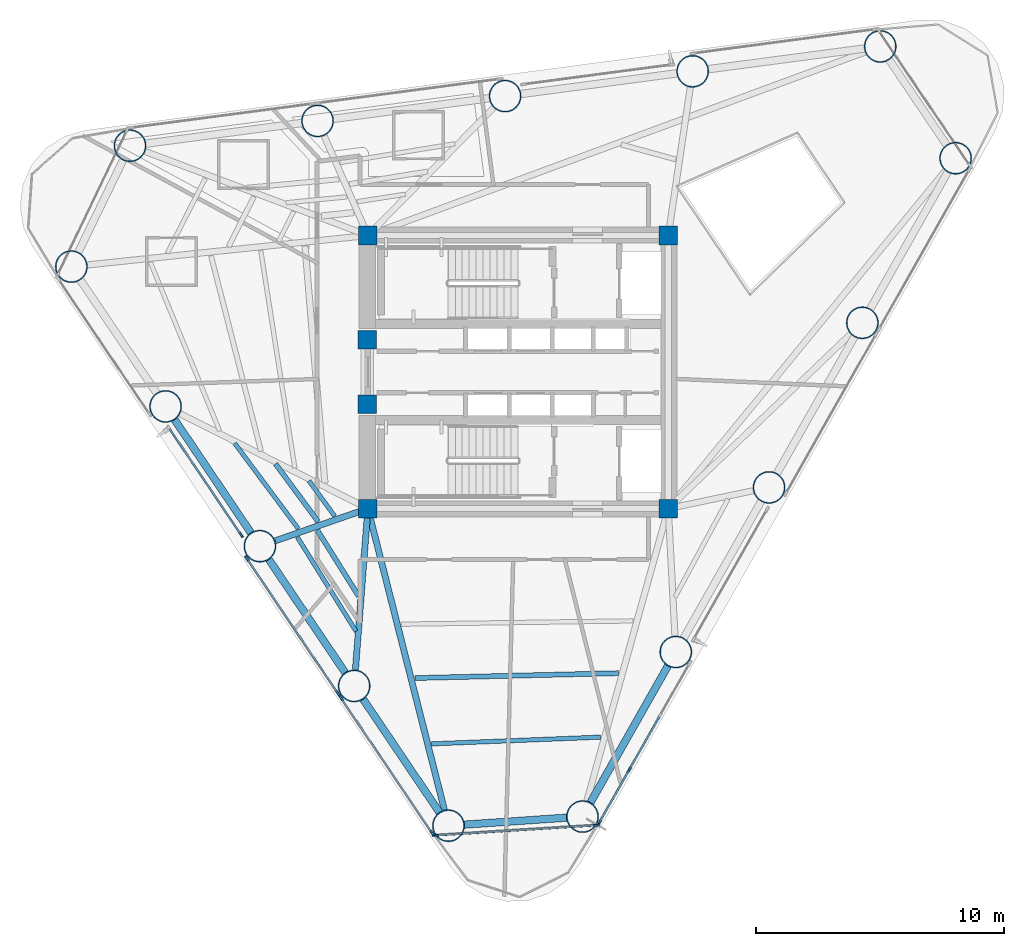
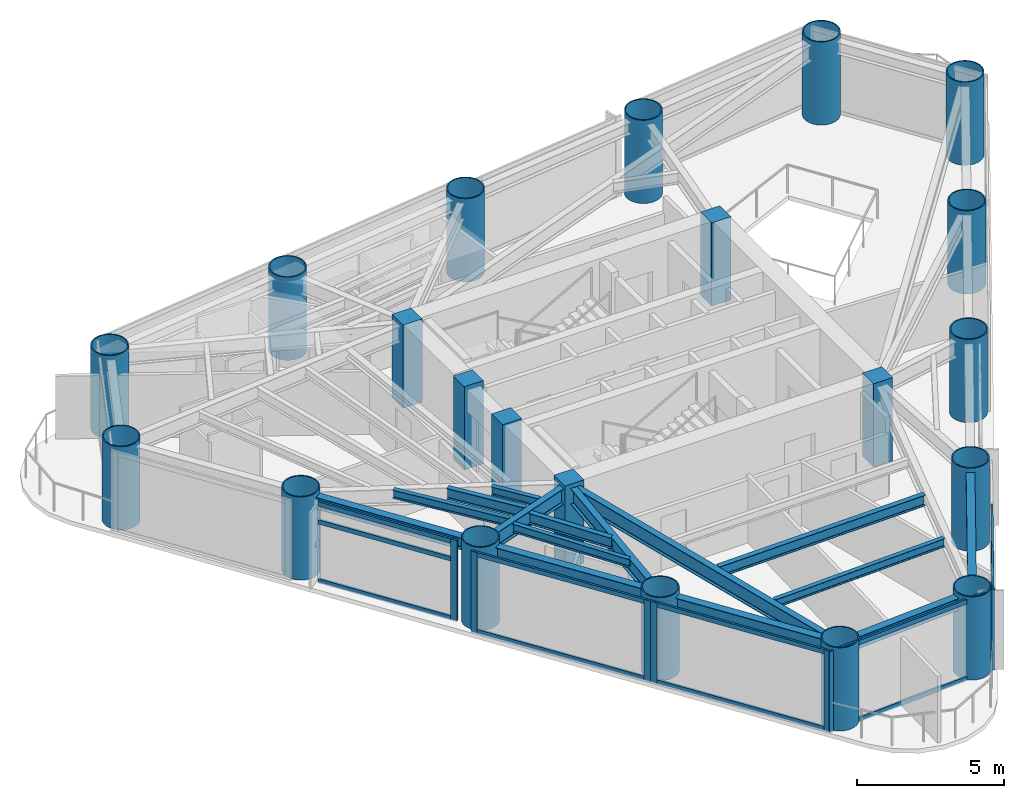
# One storey, part 1 of 9: 24 members, 21 columns, 15 beams, 5 elements without a shape of their own.
"""IFC4 building model written with IfcOpenShell, lengths in metres."""

from ifc_helpers import new_model, si_unit, direction, frame, origin, origin_2d, place, context, subcontext, project, spatial, rectangle, hollow_circle, i_section, extrude, source, transform, mapped, material, layer, layer_set, material_profile, profile_set, type_object, element, aggregate, save


model = new_model("IFC4")

# Units and contexts
model_context = context("Model", 3, precision=1e-05, world=origin(), true_north=direction((0.0, 1.0)))
body_context = subcontext(model_context, "Body", "Model", "MODEL_VIEW")
ifc_project = project(units=[si_unit("LENGTHUNIT", "METRE"), si_unit("AREAUNIT", "SQUARE_METRE"), si_unit("VOLUMEUNIT", "CUBIC_METRE"), si_unit("PLANEANGLEUNIT", "RADIAN"), si_unit("MASSUNIT", "GRAM", prefix="KILO")], contexts=[model_context])

# Site, building, storey
site_placement = place(None, origin())
site = spatial("IfcSite", under=ifc_project, at=site_placement, CompositionType="ELEMENT")
building_placement = place(site_placement, origin())
building = spatial("IfcBuilding", under=site, at=building_placement, Name="Yunling Apex Tower", CompositionType="ELEMENT")
storey_placement = place(building_placement, frame((0.0, 0.0, 169.10009765625)))
storey = spatial("IfcBuildingStorey", under=building, at=storey_placement, Name="L41", CompositionType="ELEMENT", Elevation=169.10009765625)

# Columns
ifc_material_1 = material(Name="Concrete C50", Category="concrete")
ifc_material_profile_1 = material_profile(ifc_material_1, rectangle(XDim=0.75, YDim=0.75, at=origin_2d()))
ifc_profile_set_1 = profile_set([ifc_material_profile_1], Name="Concrete C50")
column_type_1 = type_object("IfcColumnType", Name="PC-SRC-4", PredefinedType="COLUMN", material=ifc_profile_set_1)
shared_shape_1 = source(origin(), body_context, "Body", "SweptSolid", [
    extrude(rectangle(XDim=0.75, YDim=0.75, at=origin_2d()), origin(), (0.0, 0.0, 1.0), 3.449951171875),
])
for number, where, z_axis, x_axis, name in (
    (1, (-6.050048828125, -5.5, 0.0), (0.0, 0.0, 1.0), (1.0, 0.0, 0.0), "L41 Core Spine Column CC-SW"),
    (2, (6.050048828125, -5.5, 0.0), (0.0, 0.0, 1.0), (1.0, 0.0, 0.0), "L41 Core Spine Column CC-SE"),
    (3, (6.050048828125, 5.5, 0.0), (0.0, 0.0, 1.0), (1.0, 0.0, 0.0), "L41 Core Spine Column CC-NE"),
    (4, (-6.050048828125, 5.5, 0.0), (0.0, 0.0, 1.0), (1.0, 0.0, 0.0), "L41 Core Spine Column CC-NW"),
    (5, (-6.074951171875, -1.300048828125, 0.0), (0.0, 0.0, 1.0), (1.0, 0.0, 0.0), "L41 Core West Portal Jamb Column S"),
    (6, (-6.074951171875, 1.300048828125, 0.0), (0.0, 0.0, 1.0), (1.0, 0.0, 0.0), "L41 Core West Portal Jamb Column N"),
):
    element("IfcColumn", number, at=place(storey_placement, frame(where, z_axis=z_axis, x_axis=x_axis)), inside=storey, type_object=column_type_1, Name=name, PredefinedType="COLUMN", context=body_context, shape_type="MappedRepresentation", body=[
        mapped(shared_shape_1, transform((0.0, 0.0, 0.0), scale=1.0)),
    ])
ifc_material_2 = material(Name="Steel Q390GJC", Category="steel")
ifc_material_profile_2 = material_profile(ifc_material_2, hollow_circle(Radius=0.64990234375, WallThickness=0.044921875, at=origin_2d()))
ifc_profile_set_2 = profile_set([ifc_material_profile_2], Name="Steel Q390GJC")
column_type_2 = type_object("IfcColumnType", Name="MC-CFST-3", PredefinedType="COLUMN", material=ifc_profile_set_2)
shared_shape_2 = source(origin(), body_context, "Body", "SweptSolid", [
    extrude(hollow_circle(Radius=0.64990234375, WallThickness=0.044921875, at=origin_2d()), origin(), (0.0, 0.0, 1.0), 3.449951171875),
])
for number, where, z_axis, x_axis, name in (
    (7, (2.5947265625, -17.907958984375, 0.0), (0.0, 0.0, 1.0), (1.0, 0.0, 0.0), "L41 Perimeter CFST Mega-Column P01"),
    (8, (6.351806640625, -11.27783203125, 0.0), (0.0, 0.0, 1.0), (1.0, 0.0, 0.0), "L41 Perimeter CFST Mega-Column P02"),
    (9, (10.109130859375, -4.64794921875, 0.0), (0.0, 0.0, 1.0), (1.0, 0.0, 0.0), "L41 Perimeter CFST Mega-Column P03"),
    (10, (13.8662109375, 1.982177734375, 0.0), (0.0, 0.0, 1.0), (1.0, 0.0, 0.0), "L41 Perimeter CFST Mega-Column P04"),
    (11, (17.62353515625, 8.612060546875, 0.0), (0.0, 0.0, 1.0), (1.0, 0.0, 0.0), "L41 Perimeter CFST Mega-Column P05"),
    (12, (14.5869140625, 13.114013671875, 0.0), (0.0, 0.0, 1.0), (1.0, 0.0, 0.0), "L41 Perimeter CFST Mega-Column P06"),
    (13, (7.0322265625, 12.114013671875, 0.0), (0.0, 0.0, 1.0), (1.0, 0.0, 0.0), "L41 Perimeter CFST Mega-Column P07"),
    (14, (-0.5224609375, 11.114013671875, 0.0), (0.0, 0.0, 1.0), (1.0, 0.0, 0.0), "L41 Perimeter CFST Mega-Column P08"),
    (15, (-8.0771484375, 10.1142578125, 0.0), (0.0, 0.0, 1.0), (1.0, 0.0, 0.0), "L41 Perimeter CFST Mega-Column P09"),
    (16, (-15.6318359375, 9.1142578125, 0.0), (0.0, 0.0, 1.0), (1.0, 0.0, 0.0), "L41 Perimeter CFST Mega-Column P10"),
    (17, (-17.9951171875, 4.2451171875, 0.0), (0.0, 0.0, 1.0), (1.0, 0.0, 0.0), "L41 Perimeter CFST Mega-Column P11"),
    (18, (-14.197509765625, -1.384765625, 0.0), (0.0, 0.0, 1.0), (1.0, 0.0, 0.0), "L41 Perimeter CFST Mega-Column P12"),
    (19, (-10.39990234375, -7.014892578125, 0.0), (0.0, 0.0, 1.0), (1.0, 0.0, 0.0), "L41 Perimeter CFST Mega-Column P13"),
    (20, (-6.6025390625, -12.64501953125, 0.0), (0.0, 0.0, 1.0), (1.0, 0.0, 0.0), "L41 Perimeter CFST Mega-Column P14"),
    (21, (-2.804931640625, -18.27490234375, 0.0), (0.0, 0.0, 1.0), (1.0, 0.0, 0.0), "L41 Perimeter CFST Mega-Column P15"),
):
    element("IfcColumn", number, at=place(storey_placement, frame(where, z_axis=z_axis, x_axis=x_axis)), inside=storey, type_object=column_type_2, Name=name, PredefinedType="COLUMN", context=body_context, shape_type="MappedRepresentation", body=[
        mapped(shared_shape_2, transform((0.0, 0.0, 0.0), scale=1.0)),
    ])

# Beams
ifc_material_3 = material(Name="Steel Q355B", Category="steel")
ifc_material_profile_3 = material_profile(ifc_material_3, i_section(OverallWidth=0.300048828125, OverallDepth=0.489990234375, WebThickness=0.010986328125, FlangeThickness=0.01806640625, FilletRadius=0.02197265625, at=origin_2d()))
ifc_profile_set_3 = profile_set([ifc_material_profile_3], Name="Steel Q355B")
beam_type_1 = type_object("IfcBeamType", Name="BP-SPN-2", PredefinedType="SPANDREL", material=ifc_profile_set_3)
shared_shape_3 = source(origin(), body_context, "Body", "SweptSolid", [
    extrude(i_section(OverallWidth=0.300048828125, OverallDepth=0.489990234375, WebThickness=0.010986328125, FlangeThickness=0.01806640625, FilletRadius=0.02197265625, at=origin_2d()), origin(), (0.0, 0.0, 1.0), 6.332763671875),
])
beam_1_placement = place(storey_placement, frame((2.912109375, -17.34765625, 3.02490234375), z_axis=(0.493042725972, 0.870005097897, 0.0), x_axis=(-0.870005097897, 0.493042725972, 0.0)))
element("IfcBeam", 22, at=beam_1_placement, inside=storey, type_object=beam_type_1, Name="L41 Perimeter Spandrel Beam 1", PredefinedType="SPANDREL", context=body_context, shape_type="MappedRepresentation", body=[
    mapped(shared_shape_3, transform((0.0, 0.0, 0.0), scale=1.0)),
])
shared_shape_4 = source(origin(), body_context, "Body", "SweptSolid", [
    extrude(i_section(OverallWidth=0.300048828125, OverallDepth=0.489990234375, WebThickness=0.010986328125, FlangeThickness=0.01806640625, FilletRadius=0.02197265625, at=origin_2d()), origin(), (0.0, 0.0, 1.0), 5.5029296875),
])
beam_2_placement = place(storey_placement, frame((-10.039794921875, -7.548828125, 3.02490234375), z_axis=(0.559176417619, -0.829048692164, 0.0), x_axis=(0.829048692164, 0.559176417619, 0.0)))
element("IfcBeam", 23, at=beam_2_placement, inside=storey, type_object=beam_type_1, Name="L41 Perimeter Spandrel Beam 13", PredefinedType="SPANDREL", context=body_context, shape_type="MappedRepresentation", body=[
    mapped(shared_shape_4, transform((0.0, 0.0, 0.0), scale=1.0)),
])
shared_shape_5 = source(origin(), body_context, "Body", "SweptSolid", [
    extrude(i_section(OverallWidth=0.300048828125, OverallDepth=0.489990234375, WebThickness=0.010986328125, FlangeThickness=0.01806640625, FilletRadius=0.02197265625, at=origin_2d()), origin(), (0.0, 0.0, 1.0), 5.503173828125),
])
beam_3_placement = place(storey_placement, frame((-13.83740234375, -1.918701171875, 3.02490234375), z_axis=(0.55920690951, -0.82902812519, 0.0), x_axis=(0.82902812519, 0.55920690951, 0.0)))
element("IfcBeam", 24, at=beam_3_placement, inside=storey, type_object=beam_type_1, Name="L41 Perimeter Spandrel Beam 12", PredefinedType="SPANDREL", context=body_context, shape_type="MappedRepresentation", body=[
    mapped(shared_shape_5, transform((0.0, 0.0, 0.0), scale=1.0)),
])
shared_shape_6 = source(origin(), body_context, "Body", "SweptSolid", [
    extrude(i_section(OverallWidth=0.300048828125, OverallDepth=0.489990234375, WebThickness=0.010986328125, FlangeThickness=0.01806640625, FilletRadius=0.02197265625, at=origin_2d()), origin(), (0.0, 0.0, 1.0), 5.50341796875),
])
beam_4_placement = place(storey_placement, frame((-6.242431640625, -13.1787109375, 3.02490234375), z_axis=(0.55918634307, -0.829041997564, 0.0), x_axis=(0.829041997564, 0.55918634307, 0.0)))
element("IfcBeam", 25, at=beam_4_placement, inside=storey, type_object=beam_type_1, Name="L41 Perimeter Spandrel Beam 14", PredefinedType="SPANDREL", context=body_context, shape_type="MappedRepresentation", body=[
    mapped(shared_shape_6, transform((0.0, 0.0, 0.0), scale=1.0)),
])
shared_shape_7 = source(origin(), body_context, "Body", "SweptSolid", [
    extrude(i_section(OverallWidth=0.300048828125, OverallDepth=0.489990234375, WebThickness=0.010986328125, FlangeThickness=0.01806640625, FilletRadius=0.02197265625, at=origin_2d()), origin(), (0.0, 0.0, 1.0), 4.124267578125),
])
beam_5_placement = place(storey_placement, frame((-2.16259765625, -18.231201171875, 3.02490234375), z_axis=(0.997700280582, 0.067780160274, 0.0), x_axis=(-0.067780160274, 0.997700280582, 0.0)))
element("IfcBeam", 26, at=beam_5_placement, inside=storey, type_object=beam_type_1, Name="L41 Perimeter Spandrel Beam 15", PredefinedType="SPANDREL", context=body_context, shape_type="MappedRepresentation", body=[
    mapped(shared_shape_7, transform((0.0, 0.0, 0.0), scale=1.0)),
])
ifc_material_profile_4 = material_profile(ifc_material_3, i_section(OverallWidth=0.25, OverallDepth=0.64990234375, WebThickness=0.011962890625, FlangeThickness=0.02001953125, FilletRadius=0.02392578125, at=origin_2d()))
ifc_profile_set_4 = profile_set([ifc_material_profile_4], Name="Steel Q355B")
beam_type_2 = type_object("IfcBeamType", Name="BG-PRI-4", PredefinedType="USERDEFINED", material=ifc_profile_set_4)
shared_shape_8 = source(origin(), body_context, "Body", "SweptSolid", [
    extrude(i_section(OverallWidth=0.25, OverallDepth=0.64990234375, WebThickness=0.011962890625, FlangeThickness=0.02001953125, FilletRadius=0.02392578125, at=origin_2d()), origin(), (0.0, 0.0, 1.0), 3.8681640625),
])
beam_6_placement = place(storey_placement, frame((-9.778564453125, -6.798583984375, 2.94482421875), z_axis=(0.944369860351, 0.328885339991, 0.0), x_axis=(-0.328885339991, 0.944369860351, 0.0)))
element("IfcBeam", 27, at=beam_6_placement, inside=storey, type_object=beam_type_2, Name="L41 Radial Primary Girder R13", ObjectType="GIRDER", PredefinedType="USERDEFINED", context=body_context, shape_type="MappedRepresentation", body=[
    mapped(shared_shape_8, transform((0.0, 0.0, 0.0), scale=1.0)),
])
shared_shape_9 = source(origin(), body_context, "Body", "SweptSolid", [
    extrude(i_section(OverallWidth=0.25, OverallDepth=0.64990234375, WebThickness=0.011962890625, FlangeThickness=0.02001953125, FilletRadius=0.02392578125, at=origin_2d()), origin(), (0.0, 0.0, 1.0), 6.42822265625),
])
beam_7_placement = place(storey_placement, frame((-6.5517578125, -11.989013671875, 2.94482421875), z_axis=(0.077097282386, 0.997023574971, 0.0), x_axis=(-0.997023574971, 0.077097282386, 0.0)))
element("IfcBeam", 28, at=beam_7_placement, inside=storey, type_object=beam_type_2, Name="L41 Radial Primary Girder R14", ObjectType="GIRDER", PredefinedType="USERDEFINED", context=body_context, shape_type="MappedRepresentation", body=[
    mapped(shared_shape_9, transform((0.0, 0.0, 0.0), scale=1.0)),
])
shared_shape_10 = source(origin(), body_context, "Body", "SweptSolid", [
    extrude(i_section(OverallWidth=0.25, OverallDepth=0.64990234375, WebThickness=0.011962890625, FlangeThickness=0.02001953125, FilletRadius=0.02392578125, at=origin_2d()), origin(), (0.0, 0.0, 1.0), 12.44287109375),
])
beam_8_placement = place(storey_placement, frame((-2.967041015625, -17.63720703125, 2.94482421875), z_axis=(-0.246185736667, 0.969222669494, 0.0), x_axis=(-0.969222669494, -0.246185736667, 0.0)))
element("IfcBeam", 29, at=beam_8_placement, inside=storey, type_object=beam_type_2, Name="L41 Radial Primary Girder R15", ObjectType="GIRDER", PredefinedType="USERDEFINED", context=body_context, shape_type="MappedRepresentation", body=[
    mapped(shared_shape_10, transform((0.0, 0.0, 0.0), scale=1.0)),
])
ifc_material_profile_5 = material_profile(ifc_material_3, i_section(OverallWidth=0.199951171875, OverallDepth=0.449951171875, WebThickness=0.009033203125, FlangeThickness=0.013916015625, FilletRadius=0.01806640625, at=origin_2d()))
ifc_profile_set_5 = profile_set([ifc_material_profile_5], Name="Steel Q355B")
beam_type_3 = type_object("IfcBeamType", Name="BS-SEC-3", PredefinedType="BEAM", material=ifc_profile_set_5)
shared_shape_11 = source(origin(), body_context, "Body", "SweptSolid", [
    extrude(i_section(OverallWidth=0.199951171875, OverallDepth=0.449951171875, WebThickness=0.009033203125, FlangeThickness=0.013916015625, FilletRadius=0.01806640625, at=origin_2d()), origin(), (0.0, 0.0, 1.0), 2.900146484375),
])
beam_9_placement = place(storey_placement, frame((-9.770751953125, -3.701416015625, 3.044921875), z_axis=(0.594341352087, -0.804212880523, 0.0), x_axis=(0.804212880523, 0.594341352087, 0.0)))
element("IfcBeam", 30, at=beam_9_placement, inside=storey, type_object=beam_type_3, Name="L41 Composite Floor Beam BS-12", PredefinedType="BEAM", context=body_context, shape_type="MappedRepresentation", body=[
    mapped(shared_shape_11, transform((0.0, 0.0, 0.0), scale=1.0)),
])
ifc_material_profile_6 = material_profile(ifc_material_3, i_section(OverallWidth=0.175048828125, OverallDepth=0.35009765625, WebThickness=0.007080078125, FlangeThickness=0.010986328125, FilletRadius=0.013916015625, at=origin_2d()))
ifc_profile_set_6 = profile_set([ifc_material_profile_6], Name="Steel Q355B")
beam_type_4 = type_object("IfcBeamType", Name="BJ-JST-1", PredefinedType="JOIST", material=ifc_profile_set_6)
shared_shape_12 = source(origin(), body_context, "Body", "SweptSolid", [
    extrude(i_section(OverallWidth=0.175048828125, OverallDepth=0.35009765625, WebThickness=0.007080078125, FlangeThickness=0.010986328125, FilletRadius=0.013916015625, at=origin_2d()), origin(), (0.0, 0.0, 1.0), 4.2958984375),
])
beam_10_placement = place(storey_placement, frame((-11.417724609375, -2.868896484375, 3.094970703125), z_axis=(0.597405367493, -0.801939415972, 0.0), x_axis=(0.801939415972, 0.597405367493, 0.0)))
element("IfcBeam", 31, at=beam_10_placement, inside=storey, type_object=beam_type_4, Name="L41 Composite Floor Joist BJ1-12", PredefinedType="JOIST", context=body_context, shape_type="MappedRepresentation", body=[
    mapped(shared_shape_12, transform((0.0, 0.0, 0.0), scale=1.0)),
])
shared_shape_13 = source(origin(), body_context, "Body", "SweptSolid", [
    extrude(i_section(OverallWidth=0.175048828125, OverallDepth=0.35009765625, WebThickness=0.007080078125, FlangeThickness=0.010986328125, FilletRadius=0.013916015625, at=origin_2d()), origin(), (0.0, 0.0, 1.0), 1.75830078125),
])
beam_11_placement = place(storey_placement, frame((-8.423583984375, -4.3828125, 3.094970703125), z_axis=(0.58860919459, -0.808417723732, 0.0), x_axis=(0.808417723732, 0.58860919459, 0.0)))
element("IfcBeam", 32, at=beam_11_placement, inside=storey, type_object=beam_type_4, Name="L41 Composite Floor Joist BJ3-12", PredefinedType="JOIST", context=body_context, shape_type="MappedRepresentation", body=[
    mapped(shared_shape_13, transform((0.0, 0.0, 0.0), scale=1.0)),
])
shared_shape_14 = source(origin(), body_context, "Body", "SweptSolid", [
    extrude(i_section(OverallWidth=0.199951171875, OverallDepth=0.449951171875, WebThickness=0.009033203125, FlangeThickness=0.013916015625, FilletRadius=0.01806640625, at=origin_2d()), origin(), (0.0, 0.0, 1.0), 3.138427734375),
])
beam_12_placement = place(storey_placement, frame((-8.086181640625, -6.374267578125, 3.044921875), z_axis=(0.531291876234, -0.847188846862, 0.0), x_axis=(0.847188846862, 0.531291876234, 0.0)))
element("IfcBeam", 33, at=beam_12_placement, inside=storey, type_object=beam_type_3, Name="L41 Composite Floor Beam BS-13", PredefinedType="BEAM", context=body_context, shape_type="MappedRepresentation", body=[
    mapped(shared_shape_14, transform((0.0, 0.0, 0.0), scale=1.0)),
])
shared_shape_15 = source(origin(), body_context, "Body", "SweptSolid", [
    extrude(i_section(OverallWidth=0.175048828125, OverallDepth=0.35009765625, WebThickness=0.007080078125, FlangeThickness=0.010986328125, FilletRadius=0.013916015625, at=origin_2d()), origin(), (0.0, 0.0, 1.0), 4.46533203125),
])
beam_13_placement = place(storey_placement, frame((-8.890380859375, -6.654296875, 3.094970703125), z_axis=(0.529197625192, -0.848498599581, 0.0), x_axis=(0.848498599581, 0.529197625192, 0.0)))
element("IfcBeam", 34, at=beam_13_placement, inside=storey, type_object=beam_type_4, Name="L41 Composite Floor Joist BJ1-13", PredefinedType="JOIST", context=body_context, shape_type="MappedRepresentation", body=[
    mapped(shared_shape_15, transform((0.0, 0.0, 0.0), scale=1.0)),
])
shared_shape_16 = source(origin(), body_context, "Body", "SweptSolid", [
    extrude(i_section(OverallWidth=0.199951171875, OverallDepth=0.449951171875, WebThickness=0.009033203125, FlangeThickness=0.013916015625, FilletRadius=0.01806640625, at=origin_2d()), origin(), (0.0, 0.0, 1.0), 8.20166015625),
])
beam_14_placement = place(storey_placement, frame((-4.15478515625, -12.3271484375, 3.044921875), z_axis=(0.999714273785, 0.023903363562, 0.0), x_axis=(-0.023903363562, 0.999714273785, 0.0)))
element("IfcBeam", 35, at=beam_14_placement, inside=storey, type_object=beam_type_3, Name="L41 Composite Floor Beam BS-15", PredefinedType="BEAM", context=body_context, shape_type="MappedRepresentation", body=[
    mapped(shared_shape_16, transform((0.0, 0.0, 0.0), scale=1.0)),
])
shared_shape_17 = source(origin(), body_context, "Body", "SweptSolid", [
    extrude(i_section(OverallWidth=0.175048828125, OverallDepth=0.35009765625, WebThickness=0.007080078125, FlangeThickness=0.010986328125, FilletRadius=0.013916015625, at=origin_2d()), origin(), (0.0, 0.0, 1.0), 6.814453125),
])
beam_15_placement = place(storey_placement, frame((-3.481201171875, -14.977783203125, 3.094970703125), z_axis=(0.999210374008, 0.039731957862, 0.0), x_axis=(-0.039731957862, 0.999210374008, 0.0)))
element("IfcBeam", 36, at=beam_15_placement, inside=storey, type_object=beam_type_4, Name="L41 Composite Floor Joist BJ1-15", PredefinedType="JOIST", context=body_context, shape_type="MappedRepresentation", body=[
    mapped(shared_shape_17, transform((0.0, 0.0, 0.0), scale=1.0)),
])

# Curtain wall, members
ifc_material_4 = material(Name="Bronze anodised aluminium", Category="aluminium")
ifc_layer = layer(ifc_material_4, 0.239990234375)
ifc_layer_set = layer_set([ifc_layer], Name="Bronze anodised aluminium")
curtain_wall_type = type_object("IfcCurtainWallType", Name="CW-SYS-3", PredefinedType="NOTDEFINED", material=ifc_layer_set)
curtain_wall_1_placement = place(storey_placement, origin())
curtain_wall_1 = element("IfcCurtainWall", 37, at=curtain_wall_1_placement, inside=storey, type_object=curtain_wall_type, Name="CW-L41-F1-B1", PredefinedType="NOTDEFINED")
ifc_material_profile_7 = material_profile(ifc_material_4, rectangle(XDim=0.080078125, YDim=0.239990234375, at=origin_2d()))
ifc_profile_set_7 = profile_set([ifc_material_profile_7], Name="Bronze anodised aluminium")
member_type_1 = type_object("IfcMemberType", Name="CW-MUL-3", PredefinedType="MULLION", material=ifc_profile_set_7)
shared_shape_18 = source(origin(), body_context, "Body", "SweptSolid", [
    extrude(rectangle(XDim=0.080078125, YDim=0.239990234375, at=origin_2d()), origin(), (0.0, 0.0, 1.0), 3.369873046875),
])
member_1_placement = place(storey_placement, frame((3.271484375, -18.153564453125, -0.050048828125), z_axis=(0.0, 0.0, 1.0), x_axis=(-0.870006087438, 0.493040979859, 0.0)))
member_1 = element("IfcMember", 38, at=member_1_placement, type_object=member_type_1, Name="CW-SYS-3 mullion 1", PredefinedType="MULLION", context=body_context, shape_type="MappedRepresentation", body=[
    mapped(shared_shape_18, transform((0.0, 0.0, 0.0), scale=1.0)),
])
member_2_placement = place(storey_placement, frame((4.47802734375, -16.02490234375, -0.050048828125), z_axis=(0.0, 0.0, 1.0), x_axis=(-0.870006087438, 0.493040979859, 0.0)))
member_2 = element("IfcMember", 39, at=member_2_placement, type_object=member_type_1, Name="CW-SYS-3 mullion 2", PredefinedType="MULLION", context=body_context, shape_type="MappedRepresentation", body=[
    mapped(shared_shape_18, transform((0.0, 0.0, 0.0), scale=1.0)),
])

# Curtain wall, member
curtain_wall_2_placement = place(storey_placement, origin())
curtain_wall_2 = element("IfcCurtainWall", 40, at=curtain_wall_2_placement, inside=storey, type_object=curtain_wall_type, Name="CW-L41-F3-B2", PredefinedType="NOTDEFINED")
member_3_placement = place(storey_placement, frame((-11.15966796875, -6.55029296875, -0.050048828125), z_axis=(0.0, 0.0, 1.0), x_axis=(0.829026137089, 0.559209856873, 0.0)))
member_3 = element("IfcMember", 41, at=member_3_placement, type_object=member_type_1, Name="CW-SYS-3 mullion 2", PredefinedType="MULLION", context=body_context, shape_type="MappedRepresentation", body=[
    mapped(shared_shape_18, transform((0.0, 0.0, 0.0), scale=1.0)),
])

# Curtain wall, members
curtain_wall_3_placement = place(storey_placement, origin())
curtain_wall_3 = element("IfcCurtainWall", 42, at=curtain_wall_3_placement, inside=storey, type_object=curtain_wall_type, Name="CW-L41-F3-B3", PredefinedType="NOTDEFINED")
member_4_placement = place(storey_placement, frame((-10.921630859375, -7.511474609375, -0.050048828125), z_axis=(0.0, 0.0, 1.0), x_axis=(0.829040587205, 0.559188434042, 0.0)))
member_4 = element("IfcMember", 43, at=member_4_placement, type_object=member_type_1, Name="CW-SYS-3 mullion 1", PredefinedType="MULLION", context=body_context, shape_type="MappedRepresentation", body=[
    mapped(shared_shape_18, transform((0.0, 0.0, 0.0), scale=1.0)),
])
member_5_placement = place(storey_placement, frame((-7.25830078125, -12.9423828125, -0.050048828125), z_axis=(0.0, 0.0, 1.0), x_axis=(0.829040587205, 0.559188434042, 0.0)))
member_5 = element("IfcMember", 44, at=member_5_placement, type_object=member_type_1, Name="CW-SYS-3 mullion 2", PredefinedType="MULLION", context=body_context, shape_type="MappedRepresentation", body=[
    mapped(shared_shape_18, transform((0.0, 0.0, 0.0), scale=1.0)),
])

curtain_wall_4_placement = place(storey_placement, origin())
curtain_wall_4 = element("IfcCurtainWall", 45, at=curtain_wall_4_placement, inside=storey, type_object=curtain_wall_type, Name="CW-L41-F3-B4", PredefinedType="NOTDEFINED")
member_6_placement = place(storey_placement, frame((-7.1240234375, -13.141357421875, -0.050048828125), z_axis=(0.0, 0.0, 1.0), x_axis=(0.829045302692, 0.559181442901, 0.0)))
member_6 = element("IfcMember", 46, at=member_6_placement, type_object=member_type_1, Name="CW-SYS-3 mullion 1", PredefinedType="MULLION", context=body_context, shape_type="MappedRepresentation", body=[
    mapped(shared_shape_18, transform((0.0, 0.0, 0.0), scale=1.0)),
])
member_7_placement = place(storey_placement, frame((-3.460693359375, -18.572509765625, -0.050048828125), z_axis=(0.0, 0.0, 1.0), x_axis=(0.829045302692, 0.559181442901, 0.0)))
member_7 = element("IfcMember", 47, at=member_7_placement, type_object=member_type_1, Name="CW-SYS-3 mullion 2", PredefinedType="MULLION", context=body_context, shape_type="MappedRepresentation", body=[
    mapped(shared_shape_18, transform((0.0, 0.0, 0.0), scale=1.0)),
])

curtain_wall_5_placement = place(storey_placement, origin())
curtain_wall_5 = element("IfcCurtainWall", 48, at=curtain_wall_5_placement, inside=storey, type_object=curtain_wall_type, Name="CW-L41-CRN3", PredefinedType="NOTDEFINED")
member_8_placement = place(storey_placement, frame((-3.337158203125, -18.658203125, -0.050048828125), z_axis=(0.0, 0.0, 1.0), x_axis=(-0.062672311308, 0.998034158431, 0.0)))
member_8 = element("IfcMember", 49, at=member_8_placement, type_object=member_type_1, Name="CW-SYS-3 mullion 1", PredefinedType="MULLION", context=body_context, shape_type="MappedRepresentation", body=[
    mapped(shared_shape_18, transform((0.0, 0.0, 0.0), scale=1.0)),
])
member_9_placement = place(storey_placement, frame((3.155029296875, -18.25048828125, -0.050048828125), z_axis=(0.0, 0.0, 1.0), x_axis=(-0.062672311308, 0.998034158431, 0.0)))
member_9 = element("IfcMember", 50, at=member_9_placement, type_object=member_type_1, Name="CW-SYS-3 mullion 2", PredefinedType="MULLION", context=body_context, shape_type="MappedRepresentation", body=[
    mapped(shared_shape_18, transform((0.0, 0.0, 0.0), scale=1.0)),
])

# Member
ifc_material_profile_8 = material_profile(ifc_material_4, rectangle(XDim=0.080078125, YDim=0.18505859375, at=origin_2d()))
ifc_profile_set_8 = profile_set([ifc_material_profile_8], Name="Bronze anodised aluminium")
member_type_2 = type_object("IfcMemberType", Name="CW-TRN-3", PredefinedType="USERDEFINED", material=ifc_profile_set_8)
shared_shape_19 = source(origin(), body_context, "Body", "SweptSolid", [
    extrude(rectangle(XDim=0.080078125, YDim=0.18505859375, at=origin_2d()), origin(), (0.0, 0.0, 1.0), 2.374755859375),
])
member_10_placement = place(storey_placement, frame((3.289306640625, -18.122314453125, 0.039794921875), z_axis=(0.493035916127, 0.870008957085, 0.0), x_axis=(-0.870008957085, 0.493035916127, 0.0)))
member_10 = element("IfcMember", 51, at=member_10_placement, type_object=member_type_2, Name="CW-SYS-3 transom 1.1", ObjectType="TRANSOM", PredefinedType="USERDEFINED", context=body_context, shape_type="MappedRepresentation", body=[
    mapped(shared_shape_19, transform((0.0, 0.0, 0.0), scale=1.0)),
])

member_11_placement = place(storey_placement, frame((3.289306640625, -18.122314453125, 2.485107421875), z_axis=(0.493035916127, 0.870008957085, 0.0), x_axis=(-0.870008957085, 0.493035916127, 0.0)))
member_11 = element("IfcMember", 52, at=member_11_placement, type_object=member_type_2, Name="CW-SYS-3 transom 1.2", ObjectType="TRANSOM", PredefinedType="USERDEFINED", context=body_context, shape_type="MappedRepresentation", body=[
    mapped(shared_shape_19, transform((0.0, 0.0, 0.0), scale=1.0)),
])

member_12_placement = place(storey_placement, frame((3.289306640625, -18.122314453125, 3.22998046875), z_axis=(0.493035916127, 0.870008957085, 0.0), x_axis=(-0.870008957085, 0.493035916127, 0.0)))
member_12 = element("IfcMember", 53, at=member_12_placement, type_object=member_type_2, Name="CW-SYS-3 transom 1.3", ObjectType="TRANSOM", PredefinedType="USERDEFINED", context=body_context, shape_type="MappedRepresentation", body=[
    mapped(shared_shape_19, transform((0.0, 0.0, 0.0), scale=1.0)),
])

shared_shape_20 = source(origin(), body_context, "Body", "SweptSolid", [
    extrude(rectangle(XDim=0.080078125, YDim=0.18505859375, at=origin_2d()), origin(), (0.0, 0.0, 1.0), 2.414794921875),
])
member_13_placement = place(storey_placement, frame((4.49560546875, -15.993408203125, 0.039794921875), z_axis=(0.49307634424, 0.869986045147, 0.0), x_axis=(-0.869986045147, 0.49307634424, 0.0)))
member_13 = element("IfcMember", 54, at=member_13_placement, type_object=member_type_2, Name="CW-SYS-3 transom 2.1", ObjectType="TRANSOM", PredefinedType="USERDEFINED", context=body_context, shape_type="MappedRepresentation", body=[
    mapped(shared_shape_20, transform((0.0, 0.0, 0.0), scale=1.0)),
])

member_14_placement = place(storey_placement, frame((4.49560546875, -15.993408203125, 2.485107421875), z_axis=(0.49307634424, 0.869986045147, 0.0), x_axis=(-0.869986045147, 0.49307634424, 0.0)))
member_14 = element("IfcMember", 55, at=member_14_placement, type_object=member_type_2, Name="CW-SYS-3 transom 2.2", ObjectType="TRANSOM", PredefinedType="USERDEFINED", context=body_context, shape_type="MappedRepresentation", body=[
    mapped(shared_shape_20, transform((0.0, 0.0, 0.0), scale=1.0)),
])

member_15_placement = place(storey_placement, frame((4.49560546875, -15.993408203125, 3.22998046875), z_axis=(0.49307634424, 0.869986045147, 0.0), x_axis=(-0.869986045147, 0.49307634424, 0.0)))
member_15 = element("IfcMember", 56, at=member_15_placement, type_object=member_type_2, Name="CW-SYS-3 transom 2.3", ObjectType="TRANSOM", PredefinedType="USERDEFINED", context=body_context, shape_type="MappedRepresentation", body=[
    mapped(shared_shape_20, transform((0.0, 0.0, 0.0), scale=1.0)),
])

aggregate(curtain_wall_1, [member_1, member_2, member_10, member_11, member_12, member_13, member_14, member_15])

shared_shape_21 = source(origin(), body_context, "Body", "SweptSolid", [
    extrude(rectangle(XDim=0.080078125, YDim=0.18505859375, at=origin_2d()), origin(), (0.0, 0.0, 1.0), 6.43310546875),
])
member_16_placement = place(storey_placement, frame((-3.30126953125, -18.656005859375, 0.039794921875), z_axis=(0.998035114575, 0.062657083206, 0.0), x_axis=(-0.062657083206, 0.998035114575, 0.0)))
member_16 = element("IfcMember", 57, at=member_16_placement, type_object=member_type_2, Name="CW-SYS-3 transom 1.1", ObjectType="TRANSOM", PredefinedType="USERDEFINED", context=body_context, shape_type="MappedRepresentation", body=[
    mapped(shared_shape_21, transform((0.0, 0.0, 0.0), scale=1.0)),
])

member_17_placement = place(storey_placement, frame((-3.30126953125, -18.656005859375, 3.22998046875), z_axis=(0.998035114575, 0.062657083206, 0.0), x_axis=(-0.062657083206, 0.998035114575, 0.0)))
member_17 = element("IfcMember", 58, at=member_17_placement, type_object=member_type_2, Name="CW-SYS-3 transom 1.2", ObjectType="TRANSOM", PredefinedType="USERDEFINED", context=body_context, shape_type="MappedRepresentation", body=[
    mapped(shared_shape_21, transform((0.0, 0.0, 0.0), scale=1.0)),
])

aggregate(curtain_wall_5, [member_8, member_9, member_16, member_17])

shared_shape_22 = source(origin(), body_context, "Body", "SweptSolid", [
    extrude(rectangle(XDim=0.080078125, YDim=0.18505859375, at=origin_2d()), origin(), (0.0, 0.0, 1.0), 6.479248046875),
])
member_18_placement = place(storey_placement, frame((-7.10400390625, -13.171142578125, 0.039794921875), z_axis=(0.559179012054, -0.829046942265, 0.0), x_axis=(0.829046942265, 0.559179012054, 0.0)))
member_18 = element("IfcMember", 59, at=member_18_placement, type_object=member_type_2, Name="CW-SYS-3 transom 1.1", ObjectType="TRANSOM", PredefinedType="USERDEFINED", context=body_context, shape_type="MappedRepresentation", body=[
    mapped(shared_shape_22, transform((0.0, 0.0, 0.0), scale=1.0)),
])

member_19_placement = place(storey_placement, frame((-7.10400390625, -13.171142578125, 3.22998046875), z_axis=(0.559179012054, -0.829046942265, 0.0), x_axis=(0.829046942265, 0.559179012054, 0.0)))
member_19 = element("IfcMember", 60, at=member_19_placement, type_object=member_type_2, Name="CW-SYS-3 transom 1.2", ObjectType="TRANSOM", PredefinedType="USERDEFINED", context=body_context, shape_type="MappedRepresentation", body=[
    mapped(shared_shape_22, transform((0.0, 0.0, 0.0), scale=1.0)),
])

aggregate(curtain_wall_4, [member_6, member_7, member_18, member_19])

shared_shape_23 = source(origin(), body_context, "Body", "SweptSolid", [
    extrude(rectangle(XDim=0.080078125, YDim=0.18505859375, at=origin_2d()), origin(), (0.0, 0.0, 1.0), 5.09912109375),
])
member_20_placement = place(storey_placement, frame((-14.03125, -2.293212890625, 0.039794921875), z_axis=(0.559222026941, -0.829017927782, 0.0), x_axis=(0.829017927782, 0.559222026941, 0.0)))
member_20 = element("IfcMember", 61, at=member_20_placement, type_object=member_type_2, Name="CW-SYS-3 transom 1.1", ObjectType="TRANSOM", PredefinedType="USERDEFINED", context=body_context, shape_type="MappedRepresentation", body=[
    mapped(shared_shape_23, transform((0.0, 0.0, 0.0), scale=1.0)),
])

member_21_placement = place(storey_placement, frame((-14.03125, -2.293212890625, 2.485107421875), z_axis=(0.559222026941, -0.829017927782, 0.0), x_axis=(0.829017927782, 0.559222026941, 0.0)))
member_21 = element("IfcMember", 62, at=member_21_placement, type_object=member_type_2, Name="CW-SYS-3 transom 1.2", ObjectType="TRANSOM", PredefinedType="USERDEFINED", context=body_context, shape_type="MappedRepresentation", body=[
    mapped(shared_shape_23, transform((0.0, 0.0, 0.0), scale=1.0)),
])

member_22_placement = place(storey_placement, frame((-14.03125, -2.293212890625, 3.22998046875), z_axis=(0.559222026941, -0.829017927782, 0.0), x_axis=(0.829017927782, 0.559222026941, 0.0)))
member_22 = element("IfcMember", 63, at=member_22_placement, type_object=member_type_2, Name="CW-SYS-3 transom 1.3", ObjectType="TRANSOM", PredefinedType="USERDEFINED", context=body_context, shape_type="MappedRepresentation", body=[
    mapped(shared_shape_23, transform((0.0, 0.0, 0.0), scale=1.0)),
])

aggregate(curtain_wall_2, [member_3, member_20, member_21, member_22])

shared_shape_24 = source(origin(), body_context, "Body", "SweptSolid", [
    extrude(rectangle(XDim=0.080078125, YDim=0.18505859375, at=origin_2d()), origin(), (0.0, 0.0, 1.0), 6.47900390625),
])
member_23_placement = place(storey_placement, frame((-10.9013671875, -7.541259765625, 0.039794921875), z_axis=(0.559196480627, -0.829035159722, 0.0), x_axis=(0.829035159722, 0.559196480627, 0.0)))
member_23 = element("IfcMember", 64, at=member_23_placement, type_object=member_type_2, Name="CW-SYS-3 transom 1.1", ObjectType="TRANSOM", PredefinedType="USERDEFINED", context=body_context, shape_type="MappedRepresentation", body=[
    mapped(shared_shape_24, transform((0.0, 0.0, 0.0), scale=1.0)),
])

member_24_placement = place(storey_placement, frame((-10.9013671875, -7.541259765625, 3.22998046875), z_axis=(0.559196480627, -0.829035159722, 0.0), x_axis=(0.829035159722, 0.559196480627, 0.0)))
member_24 = element("IfcMember", 65, at=member_24_placement, type_object=member_type_2, Name="CW-SYS-3 transom 1.2", ObjectType="TRANSOM", PredefinedType="USERDEFINED", context=body_context, shape_type="MappedRepresentation", body=[
    mapped(shared_shape_24, transform((0.0, 0.0, 0.0), scale=1.0)),
])

aggregate(curtain_wall_3, [member_4, member_5, member_23, member_24])

save(model, "model.ifc")
